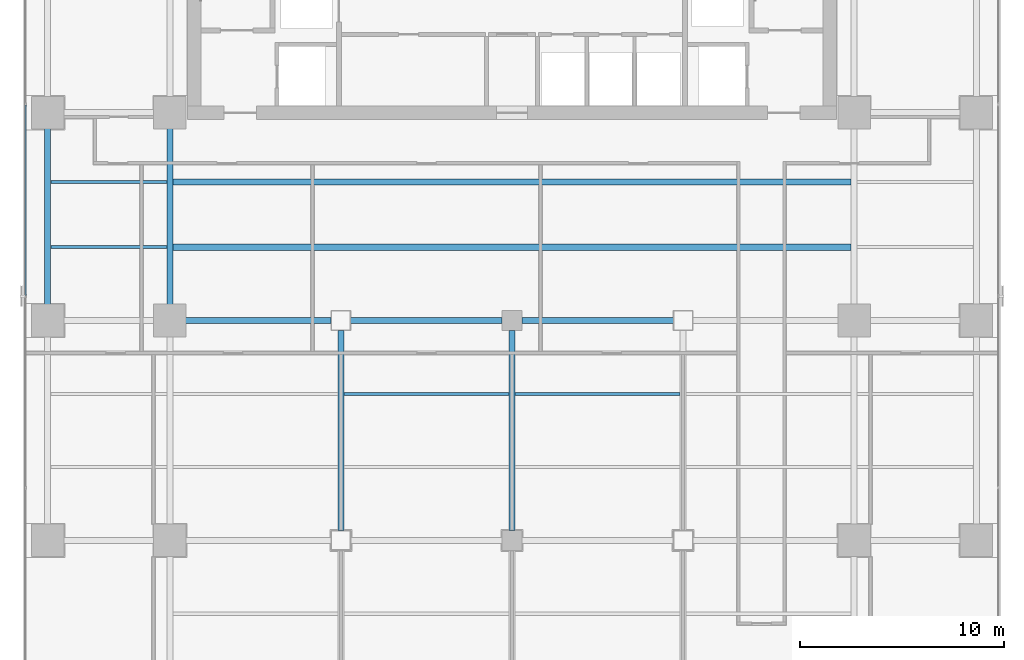
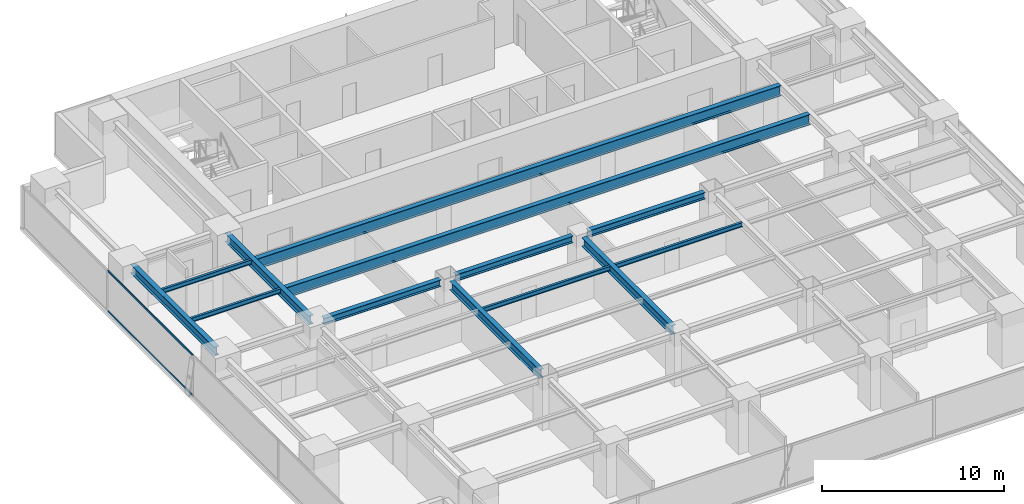
# One storey, part 8 of 28: 13 beams, 2 members, 1 element without a shape of its own.
"""IFC4 building model written with IfcOpenShell, lengths in metres."""

from ifc_helpers import new_model, si_unit, direction, frame, origin, origin_2d, place, context, subcontext, project, spatial, hollow_rectangle, i_section, extrude, source, transform, mapped, material, layer, layer_set, material_profile, profile_set, type_object, element, aggregate, save


model = new_model("IFC4")

# Units and contexts
model_context = context("Model", 3, precision=1e-05, world=origin(), true_north=direction((0.0, 1.0)))
body_context = subcontext(model_context, "Body", "Model", "MODEL_VIEW")
ifc_project = project(units=[si_unit("LENGTHUNIT", "METRE"), si_unit("AREAUNIT", "SQUARE_METRE"), si_unit("VOLUMEUNIT", "CUBIC_METRE"), si_unit("PLANEANGLEUNIT", "RADIAN"), si_unit("MASSUNIT", "GRAM", prefix="KILO")], contexts=[model_context])

# Site, building, storey
site_placement = place(None, origin())
site = spatial("IfcSite", under=ifc_project, at=site_placement, CompositionType="ELEMENT")
building_placement = place(site_placement, origin())
building = spatial("IfcBuilding", under=site, at=building_placement, Name="Sumidabori Civic Tower", CompositionType="ELEMENT")
storey_placement = place(building_placement, frame((0.0, 0.0, 149.60009765625)))
storey = spatial("IfcBuildingStorey", under=building, at=storey_placement, Name="L38", CompositionType="ELEMENT", Elevation=149.60009765625)

# Beams
ifc_material_1 = material(Name="Steel SN490", Category="steel")
ifc_material_profile_1 = material_profile(ifc_material_1, i_section(OverallWidth=0.300048828125, OverallDepth=0.60009765625, WebThickness=0.015380859375, FlangeThickness=0.030029296875, at=origin_2d()), Name="HE 600 B")
ifc_profile_set_1 = profile_set([ifc_material_profile_1], Name="Steel SN490")
beam_type_1 = type_object("IfcBeamType", Name="BM-GIRD-600", PredefinedType="BEAM", material=ifc_profile_set_1)
shared_shape_1 = source(origin(), body_context, "Body", "SweptSolid", [
    extrude(i_section(OverallWidth=0.300048828125, OverallDepth=0.60009765625, WebThickness=0.015380859375, FlangeThickness=0.030029296875, at=origin_2d()), origin(), (0.0, 0.0, 1.0), 9.840087890625),
])
for number, where, z_axis, x_axis, name in (
    (1, (-8.39990234375, -10.320068359375, 3.079833984375), (0.0, 1.0, 0.0), (-1.0, 0.0, 0.0), "Primary Girder L38 GY-27"),
    (2, (0.0, -10.320068359375, 3.079833984375), (0.0, 1.0, 0.0), (-1.0, 0.0, 0.0), "Primary Girder L38 GY-29"),
):
    element("IfcBeam", number, at=place(storey_placement, frame(where, z_axis=z_axis, x_axis=x_axis)), inside=storey, type_object=beam_type_1, Name=name, PredefinedType="BEAM", context=body_context, shape_type="MappedRepresentation", body=[
        mapped(shared_shape_1, transform((0.0, 0.0, 0.0), x_axis=(1.0, 0.0, 0.0), y_axis=(0.0, 1.0, 0.0), z_axis=(0.0, 0.0, 1.0), scale=1.0)),
    ])
shared_shape_2 = source(origin(), body_context, "Body", "SweptSolid", [
    extrude(i_section(OverallWidth=0.300048828125, OverallDepth=0.60009765625, WebThickness=0.015380859375, FlangeThickness=0.030029296875, at=origin_2d()), origin(), (0.0, 0.0, 1.0), 9.239990234375),
])
for number, where, z_axis, x_axis, name in (
    (3, (-22.800048828125, 0.47998046875, 3.079833984375), (0.0, 1.0, 0.0), (-1.0, 0.0, 0.0), "Primary Girder L38 GY-20"),
    (4, (-16.800048828125, 0.47998046875, 3.079833984375), (0.0, 1.0, 0.0), (-1.0, 0.0, 0.0), "Primary Girder L38 GY-24"),
):
    element("IfcBeam", number, at=place(storey_placement, frame(where, z_axis=z_axis, x_axis=x_axis)), inside=storey, type_object=beam_type_1, Name=name, PredefinedType="BEAM", context=body_context, shape_type="MappedRepresentation", body=[
        mapped(shared_shape_2, transform((0.0, 0.0, 0.0), x_axis=(1.0, 0.0, 0.0), y_axis=(0.0, 1.0, 0.0), z_axis=(0.0, 0.0, 1.0), scale=1.0)),
    ])
ifc_material_profile_2 = material_profile(ifc_material_1, i_section(OverallWidth=0.300048828125, OverallDepth=0.699951171875, WebThickness=0.01708984375, FlangeThickness=0.031982421875, at=origin_2d()), Name="HE 700 B")
ifc_profile_set_2 = profile_set([ifc_material_profile_2], Name="Steel SN490")
beam_type_2 = type_object("IfcBeamType", Name="BM-GIRD-700", PredefinedType="BEAM", material=ifc_profile_set_2)
shared_shape_3 = source(origin(), body_context, "Body", "SweptSolid", [
    extrude(i_section(OverallWidth=0.300048828125, OverallDepth=0.699951171875, WebThickness=0.01708984375, FlangeThickness=0.031982421875, at=origin_2d()), origin(), (0.0, 0.0, 1.0), 33.2998046875),
])
for number, where, z_axis, x_axis, name in (
    (5, (-16.64990234375, 3.60009765625, 3.02978515625), (1.0, 0.0, 0.0), (0.0, 1.0, 0.0), "North Bay Floor Beam L38 JSTN-47"),
    (6, (-16.64990234375, 6.800048828125, 3.02978515625), (1.0, 0.0, 0.0), (0.0, 1.0, 0.0), "North Bay Floor Beam L38 JSTN-48"),
):
    element("IfcBeam", number, at=place(storey_placement, frame(where, z_axis=z_axis, x_axis=x_axis)), inside=storey, type_object=beam_type_2, Name=name, PredefinedType="BEAM", context=body_context, shape_type="MappedRepresentation", body=[
        mapped(shared_shape_3, transform((0.0, 0.0, 0.0), x_axis=(1.0, 0.0, 0.0), y_axis=(0.0, 1.0, 0.0), z_axis=(0.0, 0.0, 1.0), scale=1.0)),
    ])
ifc_material_profile_3 = material_profile(ifc_material_1, i_section(OverallWidth=0.14990234375, OverallDepth=0.300048828125, WebThickness=0.007080078125, FlangeThickness=0.0107421875, at=origin_2d()), Name="IPE 300")
ifc_profile_set_3 = profile_set([ifc_material_profile_3], Name="Steel SN490")
beam_type_3 = type_object("IfcBeamType", Name="BM-JST-300", PredefinedType="JOIST", material=ifc_profile_set_3)
shared_shape_4 = source(origin(), body_context, "Body", "SweptSolid", [
    extrude(i_section(OverallWidth=0.14990234375, OverallDepth=0.300048828125, WebThickness=0.007080078125, FlangeThickness=0.0107421875, at=origin_2d()), origin(), (0.0, 0.0, 1.0), 5.699951171875),
])
for number, where, z_axis, x_axis, name in (
    (7, (-22.64990234375, 3.60009765625, 3.22998046875), (1.0, 0.0, 0.0), (0.0, 1.0, 0.0), "Outer Bay Floor Joist L38 JSTO-43"),
    (8, (-22.64990234375, 6.800048828125, 3.22998046875), (1.0, 0.0, 0.0), (0.0, 1.0, 0.0), "Outer Bay Floor Joist L38 JSTO-45"),
):
    element("IfcBeam", number, at=place(storey_placement, frame(where, z_axis=z_axis, x_axis=x_axis)), inside=storey, type_object=beam_type_3, Name=name, PredefinedType="JOIST", context=body_context, shape_type="MappedRepresentation", body=[
        mapped(shared_shape_4, transform((0.0, 0.0, 0.0), x_axis=(1.0, 0.0, 0.0), y_axis=(0.0, 1.0, 0.0), z_axis=(0.0, 0.0, 1.0), scale=1.0)),
    ])
shared_shape_5 = source(origin(), body_context, "Body", "SweptSolid", [
    extrude(i_section(OverallWidth=0.14990234375, OverallDepth=0.300048828125, WebThickness=0.007080078125, FlangeThickness=0.0107421875, at=origin_2d()), origin(), (0.0, 0.0, 1.0), 8.10009765625),
])
for number, where, z_axis, x_axis, name in (
    (9, (-8.25, -3.60009765625, 3.22998046875), (1.0, 0.0, 0.0), (0.0, 1.0, 0.0), "South Bay Floor Joist L38 JSTS-58"),
    (10, (0.14990234375, -3.60009765625, 3.22998046875), (1.0, 0.0, 0.0), (0.0, 1.0, 0.0), "South Bay Floor Joist L38 JSTS-59"),
):
    element("IfcBeam", number, at=place(storey_placement, frame(where, z_axis=z_axis, x_axis=x_axis)), inside=storey, type_object=beam_type_3, Name=name, PredefinedType="JOIST", context=body_context, shape_type="MappedRepresentation", body=[
        mapped(shared_shape_5, transform((0.0, 0.0, 0.0), x_axis=(1.0, 0.0, 0.0), y_axis=(0.0, 1.0, 0.0), z_axis=(0.0, 0.0, 1.0), scale=1.0)),
    ])
ifc_material_profile_4 = material_profile(ifc_material_1, i_section(OverallWidth=0.300048828125, OverallDepth=0.449951171875, WebThickness=0.013916015625, FlangeThickness=0.02587890625, at=origin_2d()), Name="HE 450 B")
ifc_profile_set_4 = profile_set([ifc_material_profile_4], Name="Steel SN490")
beam_type_4 = type_object("IfcBeamType", Name="BM-GIRD-450", PredefinedType="BEAM", material=ifc_profile_set_4)
shared_shape_6 = source(origin(), body_context, "Body", "SweptSolid", [
    extrude(i_section(OverallWidth=0.300048828125, OverallDepth=0.449951171875, WebThickness=0.013916015625, FlangeThickness=0.02587890625, at=origin_2d()), origin(), (0.0, 0.0, 1.0), 7.440185546875),
])
beam_placement = place(storey_placement, frame((-16.320068359375, 0.0, 3.15478515625), z_axis=(1.0, 0.0, 0.0), x_axis=(0.0, 1.0, 0.0)))
element("IfcBeam", 11, at=beam_placement, inside=storey, type_object=beam_type_4, Name="Primary Girder L38 GX-12", PredefinedType="BEAM", context=body_context, shape_type="MappedRepresentation", body=[
    mapped(shared_shape_6, transform((0.0, 0.0, 0.0), x_axis=(1.0, 0.0, 0.0), y_axis=(0.0, 1.0, 0.0), z_axis=(0.0, 0.0, 1.0), scale=1.0)),
])
shared_shape_7 = source(origin(), body_context, "Body", "SweptSolid", [
    extrude(i_section(OverallWidth=0.300048828125, OverallDepth=0.449951171875, WebThickness=0.013916015625, FlangeThickness=0.02587890625, at=origin_2d()), origin(), (0.0, 0.0, 1.0), 7.43994140625),
])
for number, where, z_axis, x_axis, name in (
    (12, (-7.919921875, 0.0, 3.15478515625), (1.0, 0.0, 0.0), (0.0, 1.0, 0.0), "Primary Girder L38 GX-13"),
    (13, (0.47998046875, 0.0, 3.15478515625), (1.0, 0.0, 0.0), (0.0, 1.0, 0.0), "Primary Girder L38 GX-14"),
):
    element("IfcBeam", number, at=place(storey_placement, frame(where, z_axis=z_axis, x_axis=x_axis)), inside=storey, type_object=beam_type_4, Name=name, PredefinedType="BEAM", context=body_context, shape_type="MappedRepresentation", body=[
        mapped(shared_shape_7, transform((0.0, 0.0, 0.0), x_axis=(1.0, 0.0, 0.0), y_axis=(0.0, 1.0, 0.0), z_axis=(0.0, 0.0, 1.0), scale=1.0)),
    ])

# Curtain wall, members
ifc_material_2 = material(Name="Anodised Bronze Aluminium AW-6063-T6", Category="aluminium")
ifc_layer = layer(ifc_material_2, 0.179931640625, Name="Anodised Bronze Aluminium AW-6063-T6")
ifc_layer_set = layer_set([ifc_layer], Name="Anodised Bronze Aluminium AW-6063-T6")
curtain_wall_type = type_object("IfcCurtainWallType", Name="CW-SYS-3", PredefinedType="NOTDEFINED", material=ifc_layer_set)
curtain_wall_placement = place(storey_placement, origin())
curtain_wall = element("IfcCurtainWall", 14, at=curtain_wall_placement, inside=storey, type_object=curtain_wall_type, Name="Curtain Wall CW:L38:R10", PredefinedType="NOTDEFINED")
ifc_material_profile_5 = material_profile(ifc_material_2, hollow_rectangle(XDim=0.06005859375, YDim=0.1298828125, WallThickness=0.0048828125, at=origin_2d()), Name="ALU TRANSOM 130x60")
ifc_profile_set_5 = profile_set([ifc_material_profile_5], Name="Anodised Bronze Aluminium AW-6063-T6")
member_type = type_object("IfcMemberType", Name="CW-TRN-130", PredefinedType="USERDEFINED", material=ifc_profile_set_5)
shared_shape_8 = source(origin(), body_context, "Body", "SweptSolid", [
    extrude(hollow_rectangle(XDim=0.06005859375, YDim=0.1298828125, WallThickness=0.0048828125, at=origin_2d()), origin(), (0.0, 0.0, 1.0), 9.344970703125),
])
member_1_placement = place(storey_placement, frame((-23.8798828125, 10.577392578125, 0.02978515625), z_axis=(0.0, -1.0, 0.0), x_axis=(1.0, 0.0, 0.0)))
member_1 = element("IfcMember", 15, at=member_1_placement, type_object=member_type, Name="CW-3 transom 2.1", ObjectType="TRANSOM", PredefinedType="USERDEFINED", context=body_context, shape_type="MappedRepresentation", body=[
    mapped(shared_shape_8, transform((0.0, 0.0, 0.0), x_axis=(1.0, 0.0, 0.0), y_axis=(0.0, 1.0, 0.0), z_axis=(0.0, 0.0, 1.0), scale=1.0)),
])
member_2_placement = place(storey_placement, frame((-23.8798828125, 10.577392578125, 2.72998046875), z_axis=(0.0, -1.0, 0.0), x_axis=(1.0, 0.0, 0.0)))
member_2 = element("IfcMember", 16, at=member_2_placement, type_object=member_type, Name="CW-3 transom 2.2", ObjectType="TRANSOM", PredefinedType="USERDEFINED", context=body_context, shape_type="MappedRepresentation", body=[
    mapped(shared_shape_8, transform((0.0, 0.0, 0.0), x_axis=(1.0, 0.0, 0.0), y_axis=(0.0, 1.0, 0.0), z_axis=(0.0, 0.0, 1.0), scale=1.0)),
])
aggregate(curtain_wall, [member_1, member_2])

save(model, "model.ifc")
